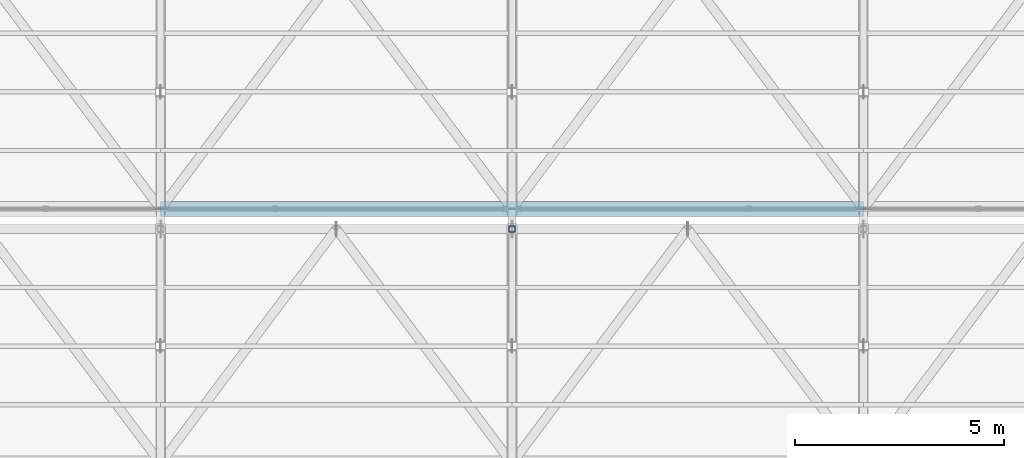
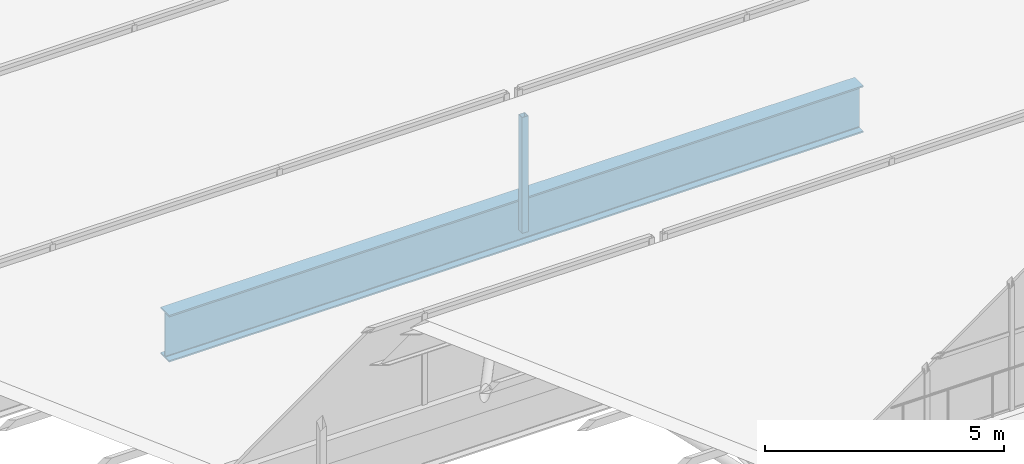
# One storey, part 95 of 217: 1 beam, 1 member.
"""IFC4 building model written with IfcOpenShell, lengths in metres."""

from ifc_helpers import new_model, si_unit, direction, frame, origin, origin_2d, place, context, subcontext, project, spatial, hollow_rectangle, i_section, extrude, material, material_profile, profile_set, type_object, element, save


model = new_model("IFC4")

# Units and contexts
model_context = context("Model", 3, precision=1e-05, world=origin(), true_north=direction((0.0, 1.0)))
body_context = subcontext(model_context, "Body", "Model", "MODEL_VIEW")
ifc_project = project(units=[si_unit("LENGTHUNIT", "METRE"), si_unit("AREAUNIT", "SQUARE_METRE"), si_unit("VOLUMEUNIT", "CUBIC_METRE"), si_unit("PLANEANGLEUNIT", "RADIAN"), si_unit("MASSUNIT", "GRAM", prefix="KILO")], contexts=[model_context])

# Site, building, storey
site_placement = place(None, origin())
site = spatial("IfcSite", under=ifc_project, at=site_placement, CompositionType="ELEMENT")
building_placement = place(site_placement, origin())
building = spatial("IfcBuilding", under=site, at=building_placement, Name="Zuvorla Pavilion Media Centre", CompositionType="ELEMENT")
storey_placement = place(building_placement, frame((0.0, 0.0, 9.60009765625)))
storey = spatial("IfcBuildingStorey", under=building, at=storey_placement, Name="L02", CompositionType="ELEMENT", Elevation=9.60009765625)

# Beam
ifc_material = material(Name="Steel S355", Category="steel")
ifc_material_profile_1 = material_profile(ifc_material, i_section(OverallWidth=0.360107421875, OverallDepth=1.199951171875, WebThickness=0.02001953125, FlangeThickness=0.0380859375, FilletRadius=0.02392578125, at=origin_2d()), Name="PG 1200x360x38")
ifc_profile_set_1 = profile_set([ifc_material_profile_1], Name="Steel S355")
beam_type = type_object("IfcBeamType", Name="BM-PG1200", PredefinedType="BEAM", material=ifc_profile_set_1)
beam_placement = place(storey_placement, frame((108.800048828125, 101.760009765625, -0.88818359375), z_axis=(1.0, 0.0, 0.0), x_axis=(0.0, 1.0, 0.0)))
element("IfcBeam", 1, at=beam_placement, inside=storey, type_object=beam_type, Name="L02 beam B01 1794", PredefinedType="BEAM", context=body_context, shape_type="SweptSolid", body=[
    extrude(i_section(OverallWidth=0.360107421875, OverallDepth=1.199951171875, WebThickness=0.02001953125, FlangeThickness=0.0380859375, FilletRadius=0.02392578125, at=origin_2d()), origin(), (0.0, 0.0, 1.0), 16.800048828125),
])

# Member
ifc_material_profile_2 = material_profile(ifc_material, hollow_rectangle(XDim=0.14990234375, YDim=0.14990234375, WallThickness=0.008056640625, at=origin_2d()), Name="SHS 150x150x8")
ifc_profile_set_2 = profile_set([ifc_material_profile_2], Name="Steel S355")
member_type = type_object("IfcMemberType", Name="MEM-STR-SHS150", PredefinedType="STRUT", material=ifc_profile_set_2)
member_placement = place(storey_placement, frame((117.199951171875, 101.280029296875, -0.880126953125), z_axis=(0.0, 0.0, 1.0), x_axis=(1.0, 0.0, 0.0)))
element("IfcMember", 2, at=member_placement, inside=storey, type_object=member_type, Name="L02 vertical strut TS01 158", PredefinedType="STRUT", context=body_context, shape_type="SweptSolid", body=[
    extrude(hollow_rectangle(XDim=0.14990234375, YDim=0.14990234375, WallThickness=0.008056640625, at=origin_2d()), origin(), (0.0, 0.0, 1.0), 2.963623046875),
])

save(model, "model.ifc")
